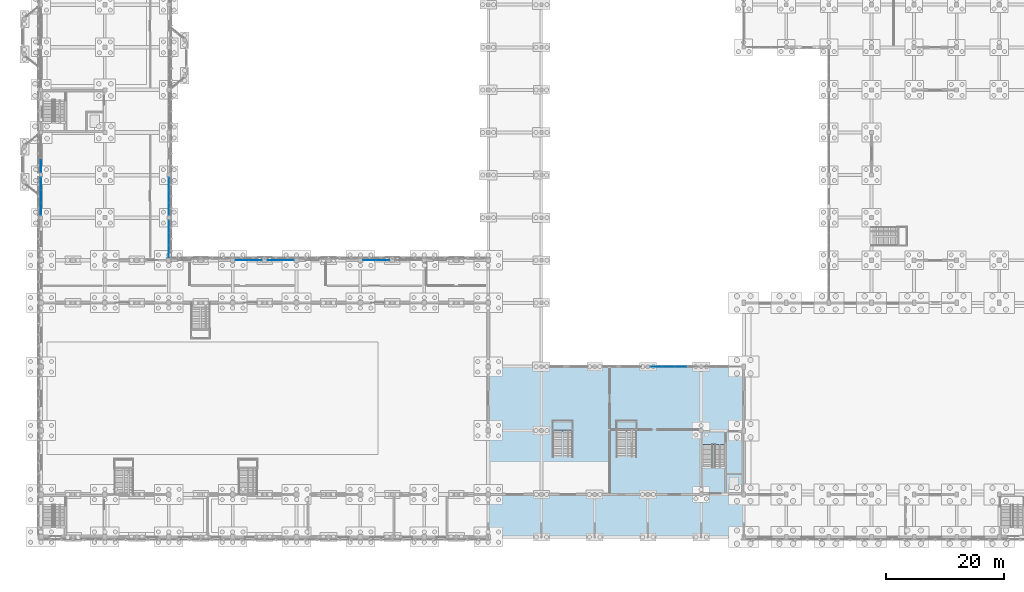
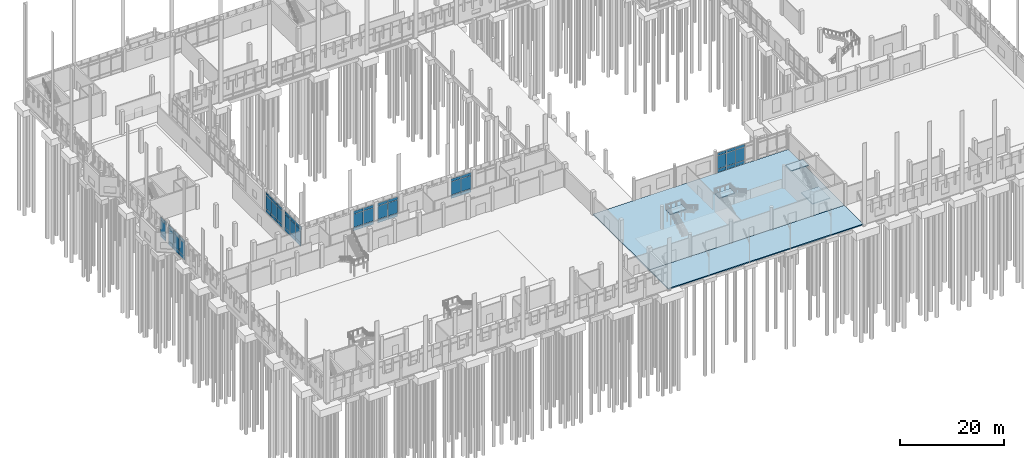
# One storey, part 73 of 109: 57 plates, 6 slabs, 11 elements without a shape of their own.
"""IFC4 building model written with IfcOpenShell, lengths in metres."""

from ifc_helpers import new_model, si_unit, direction, frame, origin, origin_2d, place, context, subcontext, project, spatial, polyline, rectangle, outline, extrude, material, layer, layer_set, type_object, element, aggregate, save


model = new_model("IFC4")

# Units and contexts
model_context = context("Model", 3, precision=1e-05, world=origin(), true_north=direction((0.0, 1.0)))
body_context = subcontext(model_context, "Body", "Model", "MODEL_VIEW")
ifc_project = project(units=[si_unit("LENGTHUNIT", "METRE"), si_unit("AREAUNIT", "SQUARE_METRE"), si_unit("VOLUMEUNIT", "CUBIC_METRE"), si_unit("PLANEANGLEUNIT", "RADIAN"), si_unit("MASSUNIT", "GRAM", prefix="KILO")], contexts=[model_context])

# Site, building, storey
site_placement = place(None, origin())
site = spatial("IfcSite", under=ifc_project, at=site_placement, CompositionType="ELEMENT")
building_placement = place(site_placement, origin())
building = spatial("IfcBuilding", under=site, at=building_placement, Name="Lusvemor Sports Hall", CompositionType="ELEMENT")
storey_placement = place(building_placement, origin())
storey = spatial("IfcBuildingStorey", under=building, at=storey_placement, Name="L00", CompositionType="ELEMENT", Elevation=0.0)

# Curtain wall, plates
ifc_material_1 = material(Name="Thermally broken bronze-anodized aluminium", Category="aluminium")
curtain_wall_type_1 = type_object("IfcCurtainWallType", Name="CW_COURT_C", PredefinedType="NOTDEFINED", material=ifc_material_1)
curtain_wall_1_placement = place(storey_placement, origin())
curtain_wall_1 = element("IfcCurtainWall", 1, at=curtain_wall_1_placement, inside=storey, type_object=curtain_wall_type_1, Name="Curtain Wall CW-V1N-L00-3-A", PredefinedType="NOTDEFINED")
ifc_material_2 = material(Name="Solar-control laminated double glazing", Category="glass")
ifc_layer_1 = layer(ifc_material_2, 0.028076171875)
ifc_layer_set_1 = layer_set([ifc_layer_1], Name="Solar-control laminated double glazing")
plate_type_1 = type_object("IfcPlateType", Name="CW_PAN_GLZ_28", PredefinedType="CURTAIN_PANEL", material=ifc_layer_set_1)
plate_1_placement = place(storey_placement, frame((33.981201171875, 46.800048828125, 0.8798828125), z_axis=(0.0, 0.0, 1.0), x_axis=(1.0, 0.0, 0.0)))
plate_1 = element("IfcPlate", 2, at=plate_1_placement, type_object=plate_type_1, Name="CW03 panel 1.2", PredefinedType="CURTAIN_PANEL", context=body_context, shape_type="SweptSolid", body=[
    extrude(rectangle(XDim=2.172607421875, YDim=0.028076171875, at=origin_2d()), origin(), (0.0, 0.0, 1.0), 3.0400390625),
])
plate_2_placement = place(storey_placement, frame((33.981201171875, 46.800048828125, 3.97998046875), z_axis=(0.0, 0.0, 1.0), x_axis=(1.0, 0.0, 0.0)))
plate_2 = element("IfcPlate", 3, at=plate_2_placement, type_object=plate_type_1, Name="CW03 panel 1.3", PredefinedType="CURTAIN_PANEL", context=body_context, shape_type="SweptSolid", body=[
    extrude(rectangle(XDim=2.172607421875, YDim=0.028076171875, at=origin_2d()), origin(), (0.0, 0.0, 1.0), 0.659912109375),
])
plate_3_placement = place(storey_placement, frame((36.21875, 46.800048828125, 0.8798828125), z_axis=(0.0, 0.0, 1.0), x_axis=(1.0, 0.0, 0.0)))
plate_3 = element("IfcPlate", 4, at=plate_3_placement, type_object=plate_type_1, Name="CW03 panel 2.2", PredefinedType="CURTAIN_PANEL", context=body_context, shape_type="SweptSolid", body=[
    extrude(rectangle(XDim=2.172607421875, YDim=0.028076171875, at=origin_2d()), origin(), (0.0, 0.0, 1.0), 3.0400390625),
])
plate_4_placement = place(storey_placement, frame((36.21875, 46.800048828125, 3.97998046875), z_axis=(0.0, 0.0, 1.0), x_axis=(1.0, 0.0, 0.0)))
plate_4 = element("IfcPlate", 5, at=plate_4_placement, type_object=plate_type_1, Name="CW03 panel 2.3", PredefinedType="CURTAIN_PANEL", context=body_context, shape_type="SweptSolid", body=[
    extrude(rectangle(XDim=2.172607421875, YDim=0.028076171875, at=origin_2d()), origin(), (0.0, 0.0, 1.0), 0.659912109375),
])

curtain_wall_2_placement = place(storey_placement, origin())
curtain_wall_2 = element("IfcCurtainWall", 6, at=curtain_wall_2_placement, inside=storey, type_object=curtain_wall_type_1, Name="Curtain Wall CW-V1N-L00-3-B", PredefinedType="NOTDEFINED")
plate_5_placement = place(storey_placement, frame((39.38134765625, 46.800048828125, 0.8798828125), z_axis=(0.0, 0.0, 1.0), x_axis=(1.0, 0.0, 0.0)))
plate_5 = element("IfcPlate", 7, at=plate_5_placement, type_object=plate_type_1, Name="CW03 panel 1.2", PredefinedType="CURTAIN_PANEL", context=body_context, shape_type="SweptSolid", body=[
    extrude(rectangle(XDim=2.172607421875, YDim=0.028076171875, at=origin_2d()), origin(), (0.0, 0.0, 1.0), 3.0400390625),
])
plate_6_placement = place(storey_placement, frame((39.38134765625, 46.800048828125, 3.97998046875), z_axis=(0.0, 0.0, 1.0), x_axis=(1.0, 0.0, 0.0)))
plate_6 = element("IfcPlate", 8, at=plate_6_placement, type_object=plate_type_1, Name="CW03 panel 1.3", PredefinedType="CURTAIN_PANEL", context=body_context, shape_type="SweptSolid", body=[
    extrude(rectangle(XDim=2.172607421875, YDim=0.028076171875, at=origin_2d()), origin(), (0.0, 0.0, 1.0), 0.659912109375),
])
plate_7_placement = place(storey_placement, frame((41.61865234375, 46.800048828125, 0.8798828125), z_axis=(0.0, 0.0, 1.0), x_axis=(1.0, 0.0, 0.0)))
plate_7 = element("IfcPlate", 9, at=plate_7_placement, type_object=plate_type_1, Name="CW03 panel 2.2", PredefinedType="CURTAIN_PANEL", context=body_context, shape_type="SweptSolid", body=[
    extrude(rectangle(XDim=2.172607421875, YDim=0.028076171875, at=origin_2d()), origin(), (0.0, 0.0, 1.0), 3.0400390625),
])
plate_8_placement = place(storey_placement, frame((41.61865234375, 46.800048828125, 3.97998046875), z_axis=(0.0, 0.0, 1.0), x_axis=(1.0, 0.0, 0.0)))
plate_8 = element("IfcPlate", 10, at=plate_8_placement, type_object=plate_type_1, Name="CW03 panel 2.3", PredefinedType="CURTAIN_PANEL", context=body_context, shape_type="SweptSolid", body=[
    extrude(rectangle(XDim=2.172607421875, YDim=0.028076171875, at=origin_2d()), origin(), (0.0, 0.0, 1.0), 0.659912109375),
])

curtain_wall_3_placement = place(storey_placement, origin())
curtain_wall_3 = element("IfcCurtainWall", 11, at=curtain_wall_3_placement, inside=storey, type_object=curtain_wall_type_1, Name="Curtain Wall CW-V1N-L00-5-A", PredefinedType="NOTDEFINED")
plate_9_placement = place(storey_placement, frame((55.581298828125, 46.800048828125, 0.8798828125), z_axis=(0.0, 0.0, 1.0), x_axis=(1.0, 0.0, 0.0)))
plate_9 = element("IfcPlate", 12, at=plate_9_placement, type_object=plate_type_1, Name="CW03 panel 1.2", PredefinedType="CURTAIN_PANEL", context=body_context, shape_type="SweptSolid", body=[
    extrude(rectangle(XDim=2.172607421875, YDim=0.028076171875, at=origin_2d()), origin(), (0.0, 0.0, 1.0), 3.0400390625),
])
plate_10_placement = place(storey_placement, frame((55.581298828125, 46.800048828125, 3.97998046875), z_axis=(0.0, 0.0, 1.0), x_axis=(1.0, 0.0, 0.0)))
plate_10 = element("IfcPlate", 13, at=plate_10_placement, type_object=plate_type_1, Name="CW03 panel 1.3", PredefinedType="CURTAIN_PANEL", context=body_context, shape_type="SweptSolid", body=[
    extrude(rectangle(XDim=2.172607421875, YDim=0.028076171875, at=origin_2d()), origin(), (0.0, 0.0, 1.0), 0.659912109375),
])
plate_11_placement = place(storey_placement, frame((57.81884765625, 46.800048828125, 0.8798828125), z_axis=(0.0, 0.0, 1.0), x_axis=(1.0, 0.0, 0.0)))
plate_11 = element("IfcPlate", 14, at=plate_11_placement, type_object=plate_type_1, Name="CW03 panel 2.2", PredefinedType="CURTAIN_PANEL", context=body_context, shape_type="SweptSolid", body=[
    extrude(rectangle(XDim=2.172607421875, YDim=0.028076171875, at=origin_2d()), origin(), (0.0, 0.0, 1.0), 3.0400390625),
])
plate_12_placement = place(storey_placement, frame((57.81884765625, 46.800048828125, 3.97998046875), z_axis=(0.0, 0.0, 1.0), x_axis=(1.0, 0.0, 0.0)))
plate_12 = element("IfcPlate", 15, at=plate_12_placement, type_object=plate_type_1, Name="CW03 panel 2.3", PredefinedType="CURTAIN_PANEL", context=body_context, shape_type="SweptSolid", body=[
    extrude(rectangle(XDim=2.172607421875, YDim=0.028076171875, at=origin_2d()), origin(), (0.0, 0.0, 1.0), 0.659912109375),
])

ifc_material_3 = material(Name="Thermally broken bronze-anodized aluminium", Category="aluminium")
curtain_wall_type_2 = type_object("IfcCurtainWallType", Name="CW_FOYER_A", PredefinedType="NOTDEFINED", material=ifc_material_3)
curtain_wall_4_placement = place(storey_placement, origin())
curtain_wall_4 = element("IfcCurtainWall", 16, at=curtain_wall_4_placement, inside=storey, type_object=curtain_wall_type_2, Name="Curtain Wall CW-V4N-L00-3", PredefinedType="NOTDEFINED")
plate_13_placement = place(storey_placement, frame((104.072509765625, 28.800048828125, 0.88232421875), z_axis=(0.0, 0.0, 1.0), x_axis=(1.0, 0.0, 0.0)))
plate_13 = element("IfcPlate", 17, at=plate_13_placement, type_object=plate_type_1, Name="CW01 panel 1.2", PredefinedType="CURTAIN_PANEL", context=body_context, shape_type="SweptSolid", body=[
    extrude(rectangle(XDim=1.925048828125, YDim=0.028076171875, at=origin_2d()), origin(), (0.0, 0.0, 1.0), 3.034912109375),
])
plate_14_placement = place(storey_placement, frame((104.072509765625, 28.800048828125, 3.982421875), z_axis=(0.0, 0.0, 1.0), x_axis=(1.0, 0.0, 0.0)))
plate_14 = element("IfcPlate", 18, at=plate_14_placement, type_object=plate_type_1, Name="CW01 panel 1.3", PredefinedType="CURTAIN_PANEL", context=body_context, shape_type="SweptSolid", body=[
    extrude(rectangle(XDim=1.925048828125, YDim=0.028076171875, at=origin_2d()), origin(), (0.0, 0.0, 1.0), 0.652587890625),
])
plate_15_placement = place(storey_placement, frame((106.0849609375, 28.800048828125, 0.88232421875), z_axis=(0.0, 0.0, 1.0), x_axis=(1.0, 0.0, 0.0)))
plate_15 = element("IfcPlate", 19, at=plate_15_placement, type_object=plate_type_1, Name="CW01 panel 2.2", PredefinedType="CURTAIN_PANEL", context=body_context, shape_type="SweptSolid", body=[
    extrude(rectangle(XDim=1.9599609375, YDim=0.028076171875, at=origin_2d()), origin(), (0.0, 0.0, 1.0), 3.034912109375),
])
plate_16_placement = place(storey_placement, frame((106.0849609375, 28.800048828125, 3.982421875), z_axis=(0.0, 0.0, 1.0), x_axis=(1.0, 0.0, 0.0)))
plate_16 = element("IfcPlate", 20, at=plate_16_placement, type_object=plate_type_1, Name="CW01 panel 2.3", PredefinedType="CURTAIN_PANEL", context=body_context, shape_type="SweptSolid", body=[
    extrude(rectangle(XDim=1.9599609375, YDim=0.028076171875, at=origin_2d()), origin(), (0.0, 0.0, 1.0), 0.652587890625),
])
plate_17_placement = place(storey_placement, frame((108.114990234375, 28.800048828125, 0.88232421875), z_axis=(0.0, 0.0, 1.0), x_axis=(1.0, 0.0, 0.0)))
plate_17 = element("IfcPlate", 21, at=plate_17_placement, type_object=plate_type_1, Name="CW01 panel 3.2", PredefinedType="CURTAIN_PANEL", context=body_context, shape_type="SweptSolid", body=[
    extrude(rectangle(XDim=1.9599609375, YDim=0.028076171875, at=origin_2d()), origin(), (0.0, 0.0, 1.0), 3.034912109375),
])
plate_18_placement = place(storey_placement, frame((108.114990234375, 28.800048828125, 3.982421875), z_axis=(0.0, 0.0, 1.0), x_axis=(1.0, 0.0, 0.0)))
plate_18 = element("IfcPlate", 22, at=plate_18_placement, type_object=plate_type_1, Name="CW01 panel 3.3", PredefinedType="CURTAIN_PANEL", context=body_context, shape_type="SweptSolid", body=[
    extrude(rectangle(XDim=1.9599609375, YDim=0.028076171875, at=origin_2d()), origin(), (0.0, 0.0, 1.0), 0.652587890625),
])

ifc_material_4 = material(Name="Thermally broken bronze-anodized aluminium", Category="aluminium")
curtain_wall_type_3 = type_object("IfcCurtainWallType", Name="CW_WING_B", PredefinedType="NOTDEFINED", material=ifc_material_4)
curtain_wall_5_placement = place(storey_placement, origin())
curtain_wall_5 = element("IfcCurtainWall", 23, at=curtain_wall_5_placement, inside=storey, type_object=curtain_wall_type_3, Name="Curtain Wall CW-L00-W-0-1", PredefinedType="NOTDEFINED")
plate_19_placement = place(storey_placement, frame((0.0, 55.496337890625, 0.8798828125), z_axis=(0.0, 0.0, 1.0), x_axis=(0.0, 1.0, 0.0)))
plate_19 = element("IfcPlate", 24, at=plate_19_placement, type_object=plate_type_1, Name="CW02 panel 1.2", PredefinedType="CURTAIN_PANEL", context=body_context, shape_type="SweptSolid", body=[
    extrude(rectangle(XDim=2.0224609375, YDim=0.028076171875, at=origin_2d()), origin(), (0.0, 0.0, 1.0), 3.06005859375),
])
plate_20_placement = place(storey_placement, frame((0.0, 55.496337890625, 4.0), z_axis=(0.0, 0.0, 1.0), x_axis=(0.0, 1.0, 0.0)))
plate_20 = element("IfcPlate", 25, at=plate_20_placement, type_object=plate_type_1, Name="CW02 panel 1.3", PredefinedType="CURTAIN_PANEL", context=body_context, shape_type="SweptSolid", body=[
    extrude(rectangle(XDim=2.0224609375, YDim=0.028076171875, at=origin_2d()), origin(), (0.0, 0.0, 1.0), 0.659912109375),
])
plate_21_placement = place(storey_placement, frame((0.0, 57.60009765625, 0.8798828125), z_axis=(0.0, 0.0, 1.0), x_axis=(0.0, 1.0, 0.0)))
plate_21 = element("IfcPlate", 26, at=plate_21_placement, type_object=plate_type_1, Name="CW02 panel 2.2", PredefinedType="CURTAIN_PANEL", context=body_context, shape_type="SweptSolid", body=[
    extrude(rectangle(XDim=2.054931640625, YDim=0.028076171875, at=origin_2d()), origin(), (0.0, 0.0, 1.0), 3.06005859375),
])
plate_22_placement = place(storey_placement, frame((0.0, 57.60009765625, 4.0), z_axis=(0.0, 0.0, 1.0), x_axis=(0.0, 1.0, 0.0)))
plate_22 = element("IfcPlate", 27, at=plate_22_placement, type_object=plate_type_1, Name="CW02 panel 2.3", PredefinedType="CURTAIN_PANEL", context=body_context, shape_type="SweptSolid", body=[
    extrude(rectangle(XDim=2.054931640625, YDim=0.028076171875, at=origin_2d()), origin(), (0.0, 0.0, 1.0), 0.659912109375),
])
plate_23_placement = place(storey_placement, frame((0.0, 59.703857421875, 0.8798828125), z_axis=(0.0, 0.0, 1.0), x_axis=(0.0, 1.0, 0.0)))
plate_23 = element("IfcPlate", 28, at=plate_23_placement, type_object=plate_type_1, Name="CW02 panel 3.2", PredefinedType="CURTAIN_PANEL", context=body_context, shape_type="SweptSolid", body=[
    extrude(rectangle(XDim=2.0224609375, YDim=0.028076171875, at=origin_2d()), origin(), (0.0, 0.0, 1.0), 3.06005859375),
])
plate_24_placement = place(storey_placement, frame((0.0, 59.703857421875, 4.0), z_axis=(0.0, 0.0, 1.0), x_axis=(0.0, 1.0, 0.0)))
plate_24 = element("IfcPlate", 29, at=plate_24_placement, type_object=plate_type_1, Name="CW02 panel 3.3", PredefinedType="CURTAIN_PANEL", context=body_context, shape_type="SweptSolid", body=[
    extrude(rectangle(XDim=2.0224609375, YDim=0.028076171875, at=origin_2d()), origin(), (0.0, 0.0, 1.0), 0.659912109375),
])

curtain_wall_6_placement = place(storey_placement, origin())
curtain_wall_6 = element("IfcCurtainWall", 30, at=curtain_wall_6_placement, inside=storey, type_object=curtain_wall_type_3, Name="Curtain Wall CW-L00-W-0-2", PredefinedType="NOTDEFINED")
plate_25_placement = place(storey_placement, frame((0.0, 62.6962890625, 0.8798828125), z_axis=(0.0, 0.0, 1.0), x_axis=(0.0, 1.0, 0.0)))
plate_25 = element("IfcPlate", 31, at=plate_25_placement, type_object=plate_type_1, Name="CW02 panel 1.2", PredefinedType="CURTAIN_PANEL", context=body_context, shape_type="SweptSolid", body=[
    extrude(rectangle(XDim=2.0224609375, YDim=0.028076171875, at=origin_2d()), origin(), (0.0, 0.0, 1.0), 3.06005859375),
])
plate_26_placement = place(storey_placement, frame((0.0, 62.6962890625, 4.0), z_axis=(0.0, 0.0, 1.0), x_axis=(0.0, 1.0, 0.0)))
plate_26 = element("IfcPlate", 32, at=plate_26_placement, type_object=plate_type_1, Name="CW02 panel 1.3", PredefinedType="CURTAIN_PANEL", context=body_context, shape_type="SweptSolid", body=[
    extrude(rectangle(XDim=2.0224609375, YDim=0.028076171875, at=origin_2d()), origin(), (0.0, 0.0, 1.0), 0.659912109375),
])

curtain_wall_7_placement = place(storey_placement, origin())
curtain_wall_7 = element("IfcCurtainWall", 33, at=curtain_wall_7_placement, inside=storey, type_object=curtain_wall_type_3, Name="Curtain Wall CW-L00-E-4-0", PredefinedType="NOTDEFINED")
plate_27_placement = place(storey_placement, frame((21.60009765625, 52.503662109375, 0.8798828125), z_axis=(0.0, 0.0, 1.0), x_axis=(0.0, -1.0, 0.0)))
plate_27 = element("IfcPlate", 34, at=plate_27_placement, type_object=plate_type_1, Name="CW02 panel 1.2", PredefinedType="CURTAIN_PANEL", context=body_context, shape_type="SweptSolid", body=[
    extrude(rectangle(XDim=2.0224609375, YDim=0.028076171875, at=origin_2d()), origin(), (0.0, 0.0, 1.0), 3.06005859375),
])
plate_28_placement = place(storey_placement, frame((21.60009765625, 52.503662109375, 4.0), z_axis=(0.0, 0.0, 1.0), x_axis=(0.0, -1.0, 0.0)))
plate_28 = element("IfcPlate", 35, at=plate_28_placement, type_object=plate_type_1, Name="CW02 panel 1.3", PredefinedType="CURTAIN_PANEL", context=body_context, shape_type="SweptSolid", body=[
    extrude(rectangle(XDim=2.0224609375, YDim=0.028076171875, at=origin_2d()), origin(), (0.0, 0.0, 1.0), 0.659912109375),
])
plate_29_placement = place(storey_placement, frame((21.60009765625, 50.39990234375, 0.8798828125), z_axis=(0.0, 0.0, 1.0), x_axis=(0.0, -1.0, 0.0)))
plate_29 = element("IfcPlate", 36, at=plate_29_placement, type_object=plate_type_1, Name="CW02 panel 2.2", PredefinedType="CURTAIN_PANEL", context=body_context, shape_type="SweptSolid", body=[
    extrude(rectangle(XDim=2.054931640625, YDim=0.028076171875, at=origin_2d()), origin(), (0.0, 0.0, 1.0), 3.06005859375),
])
plate_30_placement = place(storey_placement, frame((21.60009765625, 50.39990234375, 4.0), z_axis=(0.0, 0.0, 1.0), x_axis=(0.0, -1.0, 0.0)))
plate_30 = element("IfcPlate", 37, at=plate_30_placement, type_object=plate_type_1, Name="CW02 panel 2.3", PredefinedType="CURTAIN_PANEL", context=body_context, shape_type="SweptSolid", body=[
    extrude(rectangle(XDim=2.054931640625, YDim=0.028076171875, at=origin_2d()), origin(), (0.0, 0.0, 1.0), 0.659912109375),
])
plate_31_placement = place(storey_placement, frame((21.60009765625, 48.296142578125, 0.8798828125), z_axis=(0.0, 0.0, 1.0), x_axis=(0.0, -1.0, 0.0)))
plate_31 = element("IfcPlate", 38, at=plate_31_placement, type_object=plate_type_1, Name="CW02 panel 3.2", PredefinedType="CURTAIN_PANEL", context=body_context, shape_type="SweptSolid", body=[
    extrude(rectangle(XDim=2.0224609375, YDim=0.028076171875, at=origin_2d()), origin(), (0.0, 0.0, 1.0), 3.06005859375),
])
plate_32_placement = place(storey_placement, frame((21.60009765625, 48.296142578125, 4.0), z_axis=(0.0, 0.0, 1.0), x_axis=(0.0, -1.0, 0.0)))
plate_32 = element("IfcPlate", 39, at=plate_32_placement, type_object=plate_type_1, Name="CW02 panel 3.3", PredefinedType="CURTAIN_PANEL", context=body_context, shape_type="SweptSolid", body=[
    extrude(rectangle(XDim=2.0224609375, YDim=0.028076171875, at=origin_2d()), origin(), (0.0, 0.0, 1.0), 0.659912109375),
])

curtain_wall_8_placement = place(storey_placement, origin())
curtain_wall_8 = element("IfcCurtainWall", 40, at=curtain_wall_8_placement, inside=storey, type_object=curtain_wall_type_3, Name="Curtain Wall CW-L00-E-4-1", PredefinedType="NOTDEFINED")
plate_33_placement = place(storey_placement, frame((21.60009765625, 59.703857421875, 0.8798828125), z_axis=(0.0, 0.0, 1.0), x_axis=(0.0, -1.0, 0.0)))
plate_33 = element("IfcPlate", 41, at=plate_33_placement, type_object=plate_type_1, Name="CW02 panel 1.2", PredefinedType="CURTAIN_PANEL", context=body_context, shape_type="SweptSolid", body=[
    extrude(rectangle(XDim=2.0224609375, YDim=0.028076171875, at=origin_2d()), origin(), (0.0, 0.0, 1.0), 3.06005859375),
])
plate_34_placement = place(storey_placement, frame((21.60009765625, 59.703857421875, 4.0), z_axis=(0.0, 0.0, 1.0), x_axis=(0.0, -1.0, 0.0)))
plate_34 = element("IfcPlate", 42, at=plate_34_placement, type_object=plate_type_1, Name="CW02 panel 1.3", PredefinedType="CURTAIN_PANEL", context=body_context, shape_type="SweptSolid", body=[
    extrude(rectangle(XDim=2.0224609375, YDim=0.028076171875, at=origin_2d()), origin(), (0.0, 0.0, 1.0), 0.659912109375),
])
plate_35_placement = place(storey_placement, frame((21.60009765625, 57.60009765625, 0.8798828125), z_axis=(0.0, 0.0, 1.0), x_axis=(0.0, -1.0, 0.0)))
plate_35 = element("IfcPlate", 43, at=plate_35_placement, type_object=plate_type_1, Name="CW02 panel 2.2", PredefinedType="CURTAIN_PANEL", context=body_context, shape_type="SweptSolid", body=[
    extrude(rectangle(XDim=2.054931640625, YDim=0.028076171875, at=origin_2d()), origin(), (0.0, 0.0, 1.0), 3.06005859375),
])
plate_36_placement = place(storey_placement, frame((21.60009765625, 57.60009765625, 4.0), z_axis=(0.0, 0.0, 1.0), x_axis=(0.0, -1.0, 0.0)))
plate_36 = element("IfcPlate", 44, at=plate_36_placement, type_object=plate_type_1, Name="CW02 panel 2.3", PredefinedType="CURTAIN_PANEL", context=body_context, shape_type="SweptSolid", body=[
    extrude(rectangle(XDim=2.054931640625, YDim=0.028076171875, at=origin_2d()), origin(), (0.0, 0.0, 1.0), 0.659912109375),
])
plate_37_placement = place(storey_placement, frame((21.60009765625, 55.496337890625, 0.8798828125), z_axis=(0.0, 0.0, 1.0), x_axis=(0.0, -1.0, 0.0)))
plate_37 = element("IfcPlate", 45, at=plate_37_placement, type_object=plate_type_1, Name="CW02 panel 3.2", PredefinedType="CURTAIN_PANEL", context=body_context, shape_type="SweptSolid", body=[
    extrude(rectangle(XDim=2.0224609375, YDim=0.028076171875, at=origin_2d()), origin(), (0.0, 0.0, 1.0), 3.06005859375),
])
plate_38_placement = place(storey_placement, frame((21.60009765625, 55.496337890625, 4.0), z_axis=(0.0, 0.0, 1.0), x_axis=(0.0, -1.0, 0.0)))
plate_38 = element("IfcPlate", 46, at=plate_38_placement, type_object=plate_type_1, Name="CW02 panel 3.3", PredefinedType="CURTAIN_PANEL", context=body_context, shape_type="SweptSolid", body=[
    extrude(rectangle(XDim=2.0224609375, YDim=0.028076171875, at=origin_2d()), origin(), (0.0, 0.0, 1.0), 0.659912109375),
])

# Plate
ifc_material_5 = material(Name="Emerald polychrome glazed ceramic cladding on Concrete C40/50 backing", Category="concrete")
ifc_layer_2 = layer(ifc_material_5, 0.048095703125)
ifc_layer_set_2 = layer_set([ifc_layer_2], Name="Emerald polychrome glazed ceramic cladding on Concrete C40/50 backing")
plate_type_2 = type_object("IfcPlateType", Name="CW_PAN_SPN_48", PredefinedType="CURTAIN_PANEL", material=ifc_layer_set_2)
plate_39_placement = place(storey_placement, frame((33.981201171875, 46.800048828125, 0.06005859375), z_axis=(0.0, 0.0, 1.0), x_axis=(1.0, 0.0, 0.0)))
plate_39 = element("IfcPlate", 47, at=plate_39_placement, type_object=plate_type_2, Name="CW03 panel 1.1", PredefinedType="CURTAIN_PANEL", context=body_context, shape_type="SweptSolid", body=[
    extrude(rectangle(XDim=2.172607421875, YDim=0.048095703125, at=origin_2d()), origin(), (0.0, 0.0, 1.0), 0.760009765625),
])

plate_40_placement = place(storey_placement, frame((36.21875, 46.800048828125, 0.06005859375), z_axis=(0.0, 0.0, 1.0), x_axis=(1.0, 0.0, 0.0)))
plate_40 = element("IfcPlate", 48, at=plate_40_placement, type_object=plate_type_2, Name="CW03 panel 2.1", PredefinedType="CURTAIN_PANEL", context=body_context, shape_type="SweptSolid", body=[
    extrude(rectangle(XDim=2.172607421875, YDim=0.048095703125, at=origin_2d()), origin(), (0.0, 0.0, 1.0), 0.760009765625),
])

aggregate(curtain_wall_1, [plate_39, plate_1, plate_2, plate_40, plate_3, plate_4])

plate_41_placement = place(storey_placement, frame((39.38134765625, 46.800048828125, 0.06005859375), z_axis=(0.0, 0.0, 1.0), x_axis=(1.0, 0.0, 0.0)))
plate_41 = element("IfcPlate", 49, at=plate_41_placement, type_object=plate_type_2, Name="CW03 panel 1.1", PredefinedType="CURTAIN_PANEL", context=body_context, shape_type="SweptSolid", body=[
    extrude(rectangle(XDim=2.172607421875, YDim=0.048095703125, at=origin_2d()), origin(), (0.0, 0.0, 1.0), 0.760009765625),
])

plate_42_placement = place(storey_placement, frame((41.61865234375, 46.800048828125, 0.06005859375), z_axis=(0.0, 0.0, 1.0), x_axis=(1.0, 0.0, 0.0)))
plate_42 = element("IfcPlate", 50, at=plate_42_placement, type_object=plate_type_2, Name="CW03 panel 2.1", PredefinedType="CURTAIN_PANEL", context=body_context, shape_type="SweptSolid", body=[
    extrude(rectangle(XDim=2.172607421875, YDim=0.048095703125, at=origin_2d()), origin(), (0.0, 0.0, 1.0), 0.760009765625),
])

aggregate(curtain_wall_2, [plate_41, plate_5, plate_6, plate_42, plate_7, plate_8])

plate_43_placement = place(storey_placement, frame((55.581298828125, 46.800048828125, 0.06005859375), z_axis=(0.0, 0.0, 1.0), x_axis=(1.0, 0.0, 0.0)))
plate_43 = element("IfcPlate", 51, at=plate_43_placement, type_object=plate_type_2, Name="CW03 panel 1.1", PredefinedType="CURTAIN_PANEL", context=body_context, shape_type="SweptSolid", body=[
    extrude(rectangle(XDim=2.172607421875, YDim=0.048095703125, at=origin_2d()), origin(), (0.0, 0.0, 1.0), 0.760009765625),
])

plate_44_placement = place(storey_placement, frame((57.81884765625, 46.800048828125, 0.06005859375), z_axis=(0.0, 0.0, 1.0), x_axis=(1.0, 0.0, 0.0)))
plate_44 = element("IfcPlate", 52, at=plate_44_placement, type_object=plate_type_2, Name="CW03 panel 2.1", PredefinedType="CURTAIN_PANEL", context=body_context, shape_type="SweptSolid", body=[
    extrude(rectangle(XDim=2.172607421875, YDim=0.048095703125, at=origin_2d()), origin(), (0.0, 0.0, 1.0), 0.760009765625),
])

aggregate(curtain_wall_3, [plate_43, plate_9, plate_10, plate_44, plate_11, plate_12])

plate_45_placement = place(storey_placement, frame((104.072509765625, 28.800048828125, 0.06494140625), z_axis=(0.0, 0.0, 1.0), x_axis=(1.0, 0.0, 0.0)))
plate_45 = element("IfcPlate", 53, at=plate_45_placement, type_object=plate_type_2, Name="CW01 panel 1.1", PredefinedType="CURTAIN_PANEL", context=body_context, shape_type="SweptSolid", body=[
    extrude(rectangle(XDim=1.925048828125, YDim=0.048095703125, at=origin_2d()), origin(), (0.0, 0.0, 1.0), 0.75244140625),
])

plate_46_placement = place(storey_placement, frame((106.0849609375, 28.800048828125, 0.06494140625), z_axis=(0.0, 0.0, 1.0), x_axis=(1.0, 0.0, 0.0)))
plate_46 = element("IfcPlate", 54, at=plate_46_placement, type_object=plate_type_2, Name="CW01 panel 2.1", PredefinedType="CURTAIN_PANEL", context=body_context, shape_type="SweptSolid", body=[
    extrude(rectangle(XDim=1.9599609375, YDim=0.048095703125, at=origin_2d()), origin(), (0.0, 0.0, 1.0), 0.75244140625),
])

plate_47_placement = place(storey_placement, frame((108.114990234375, 28.800048828125, 0.06494140625), z_axis=(0.0, 0.0, 1.0), x_axis=(1.0, 0.0, 0.0)))
plate_47 = element("IfcPlate", 55, at=plate_47_placement, type_object=plate_type_2, Name="CW01 panel 3.1", PredefinedType="CURTAIN_PANEL", context=body_context, shape_type="SweptSolid", body=[
    extrude(rectangle(XDim=1.9599609375, YDim=0.048095703125, at=origin_2d()), origin(), (0.0, 0.0, 1.0), 0.75244140625),
])

aggregate(curtain_wall_4, [plate_45, plate_13, plate_14, plate_46, plate_15, plate_16, plate_47, plate_17, plate_18])

plate_48_placement = place(storey_placement, frame((0.0, 55.496337890625, 0.06005859375), z_axis=(0.0, 0.0, 1.0), x_axis=(0.0, 1.0, 0.0)))
plate_48 = element("IfcPlate", 56, at=plate_48_placement, type_object=plate_type_2, Name="CW02 panel 1.1", PredefinedType="CURTAIN_PANEL", context=body_context, shape_type="SweptSolid", body=[
    extrude(rectangle(XDim=2.0224609375, YDim=0.048095703125, at=origin_2d()), origin(), (0.0, 0.0, 1.0), 0.760009765625),
])

plate_49_placement = place(storey_placement, frame((0.0, 57.60009765625, 0.06005859375), z_axis=(0.0, 0.0, 1.0), x_axis=(0.0, 1.0, 0.0)))
plate_49 = element("IfcPlate", 57, at=plate_49_placement, type_object=plate_type_2, Name="CW02 panel 2.1", PredefinedType="CURTAIN_PANEL", context=body_context, shape_type="SweptSolid", body=[
    extrude(rectangle(XDim=2.054931640625, YDim=0.048095703125, at=origin_2d()), origin(), (0.0, 0.0, 1.0), 0.760009765625),
])

plate_50_placement = place(storey_placement, frame((0.0, 59.703857421875, 0.06005859375), z_axis=(0.0, 0.0, 1.0), x_axis=(0.0, 1.0, 0.0)))
plate_50 = element("IfcPlate", 58, at=plate_50_placement, type_object=plate_type_2, Name="CW02 panel 3.1", PredefinedType="CURTAIN_PANEL", context=body_context, shape_type="SweptSolid", body=[
    extrude(rectangle(XDim=2.0224609375, YDim=0.048095703125, at=origin_2d()), origin(), (0.0, 0.0, 1.0), 0.760009765625),
])

aggregate(curtain_wall_5, [plate_48, plate_19, plate_20, plate_49, plate_21, plate_22, plate_50, plate_23, plate_24])

plate_51_placement = place(storey_placement, frame((0.0, 62.6962890625, 0.06005859375), z_axis=(0.0, 0.0, 1.0), x_axis=(0.0, 1.0, 0.0)))
plate_51 = element("IfcPlate", 59, at=plate_51_placement, type_object=plate_type_2, Name="CW02 panel 1.1", PredefinedType="CURTAIN_PANEL", context=body_context, shape_type="SweptSolid", body=[
    extrude(rectangle(XDim=2.0224609375, YDim=0.048095703125, at=origin_2d()), origin(), (0.0, 0.0, 1.0), 0.760009765625),
])

aggregate(curtain_wall_6, [plate_51, plate_25, plate_26])

plate_52_placement = place(storey_placement, frame((21.60009765625, 52.503662109375, 0.06005859375), z_axis=(0.0, 0.0, 1.0), x_axis=(0.0, -1.0, 0.0)))
plate_52 = element("IfcPlate", 60, at=plate_52_placement, type_object=plate_type_2, Name="CW02 panel 1.1", PredefinedType="CURTAIN_PANEL", context=body_context, shape_type="SweptSolid", body=[
    extrude(rectangle(XDim=2.0224609375, YDim=0.048095703125, at=origin_2d()), origin(), (0.0, 0.0, 1.0), 0.760009765625),
])

plate_53_placement = place(storey_placement, frame((21.60009765625, 50.39990234375, 0.06005859375), z_axis=(0.0, 0.0, 1.0), x_axis=(0.0, -1.0, 0.0)))
plate_53 = element("IfcPlate", 61, at=plate_53_placement, type_object=plate_type_2, Name="CW02 panel 2.1", PredefinedType="CURTAIN_PANEL", context=body_context, shape_type="SweptSolid", body=[
    extrude(rectangle(XDim=2.054931640625, YDim=0.048095703125, at=origin_2d()), origin(), (0.0, 0.0, 1.0), 0.760009765625),
])

plate_54_placement = place(storey_placement, frame((21.60009765625, 48.296142578125, 0.06005859375), z_axis=(0.0, 0.0, 1.0), x_axis=(0.0, -1.0, 0.0)))
plate_54 = element("IfcPlate", 62, at=plate_54_placement, type_object=plate_type_2, Name="CW02 panel 3.1", PredefinedType="CURTAIN_PANEL", context=body_context, shape_type="SweptSolid", body=[
    extrude(rectangle(XDim=2.0224609375, YDim=0.048095703125, at=origin_2d()), origin(), (0.0, 0.0, 1.0), 0.760009765625),
])

aggregate(curtain_wall_7, [plate_52, plate_27, plate_28, plate_53, plate_29, plate_30, plate_54, plate_31, plate_32])

plate_55_placement = place(storey_placement, frame((21.60009765625, 59.703857421875, 0.06005859375), z_axis=(0.0, 0.0, 1.0), x_axis=(0.0, -1.0, 0.0)))
plate_55 = element("IfcPlate", 63, at=plate_55_placement, type_object=plate_type_2, Name="CW02 panel 1.1", PredefinedType="CURTAIN_PANEL", context=body_context, shape_type="SweptSolid", body=[
    extrude(rectangle(XDim=2.0224609375, YDim=0.048095703125, at=origin_2d()), origin(), (0.0, 0.0, 1.0), 0.760009765625),
])

plate_56_placement = place(storey_placement, frame((21.60009765625, 57.60009765625, 0.06005859375), z_axis=(0.0, 0.0, 1.0), x_axis=(0.0, -1.0, 0.0)))
plate_56 = element("IfcPlate", 64, at=plate_56_placement, type_object=plate_type_2, Name="CW02 panel 2.1", PredefinedType="CURTAIN_PANEL", context=body_context, shape_type="SweptSolid", body=[
    extrude(rectangle(XDim=2.054931640625, YDim=0.048095703125, at=origin_2d()), origin(), (0.0, 0.0, 1.0), 0.760009765625),
])

plate_57_placement = place(storey_placement, frame((21.60009765625, 55.496337890625, 0.06005859375), z_axis=(0.0, 0.0, 1.0), x_axis=(0.0, -1.0, 0.0)))
plate_57 = element("IfcPlate", 65, at=plate_57_placement, type_object=plate_type_2, Name="CW02 panel 3.1", PredefinedType="CURTAIN_PANEL", context=body_context, shape_type="SweptSolid", body=[
    extrude(rectangle(XDim=2.0224609375, YDim=0.048095703125, at=origin_2d()), origin(), (0.0, 0.0, 1.0), 0.760009765625),
])

aggregate(curtain_wall_8, [plate_55, plate_33, plate_34, plate_56, plate_35, plate_36, plate_57, plate_37, plate_38])

# Slabs
ifc_material_6 = material(Name="Concrete C40/50", Category="concrete")
ifc_layer_3 = layer(ifc_material_6, 0.300048828125)
ifc_layer_set_3 = layer_set([ifc_layer_3], Name="Concrete C40/50")
slab_type_1 = type_object("IfcSlabType", Name="SLAB_BASE_300", PredefinedType="BASESLAB", material=ifc_layer_set_3)
slab_1_placement = place(storey_placement, frame((0.0, 0.0, -0.300048828125)))
element("IfcSlab", 66, at=slab_1_placement, inside=storey, type_object=slab_type_1, Name="Slab L00 V4-FOYER", PredefinedType="BASESLAB", context=body_context, shape_type="SweptSolid", body=[
    extrude(outline(polyline([(75.60009765625, 7.199951171875), (118.800048828125, 7.199951171875), (118.800048828125, 28.800048828125), (75.60009765625, 28.800048828125), (75.60009765625, 7.199951171875)])), origin(), (0.0, 0.0, 1.0), 0.300048828125),
])
ifc_material_7 = material(Name="Concrete C40/50", Category="concrete")
ifc_layer_4 = layer(ifc_material_7, 0.25)
ifc_layer_set_4 = layer_set([ifc_layer_4], Name="Concrete C40/50")
slab_type_2 = type_object("IfcSlabType", Name="SLAB_BASE_EXT_250", PredefinedType="BASESLAB", material=ifc_layer_set_4)
slab_2_placement = place(storey_placement, frame((0.0, 0.0, -0.25)))
element("IfcSlab", 67, at=slab_2_placement, inside=storey, type_object=slab_type_2, Name="Slab L00 V6-CANOPY", PredefinedType="BASESLAB", context=body_context, shape_type="SweptSolid", body=[
    extrude(outline(polyline([(75.60009765625, 0.0), (118.800048828125, 0.0), (118.800048828125, 7.199951171875), (75.60009765625, 7.199951171875), (75.60009765625, 0.0)])), origin(), (0.0, 0.0, 1.0), 0.25),
])

# Stair, slabs
ifc_material_8 = material(Name="Concrete C40/50", Category="concrete")
stair_type_1 = type_object("IfcStairType", Name="STAIR_CORE_540", PredefinedType="HALF_TURN_STAIR", material=ifc_material_8)
stair_1_placement = place(storey_placement, origin())
stair_1 = element("IfcStair", 68, at=stair_1_placement, inside=storey, type_object=stair_type_1, Name="Escape Stair C7 (L00)", PredefinedType="HALF_TURN_STAIR")
ifc_material_9 = material(Name="Concrete C40/50", Category="concrete")
ifc_layer_5 = layer(ifc_material_9, 0.199951171875)
ifc_layer_set_5 = layer_set([ifc_layer_5], Name="Concrete C40/50")
slab_type_3 = type_object("IfcSlabType", Name="SLAB_LAND_200", PredefinedType="LANDING", material=ifc_layer_set_5)
slab_3_placement = place(storey_placement, frame((0.0, 0.0, 2.5)))
slab_3 = element("IfcSlab", 69, at=slab_3_placement, type_object=slab_type_3, Name="ST01 landing 1", PredefinedType="LANDING", context=body_context, shape_type="SweptSolid", body=[
    extrude(outline(polyline([(111.780029296875, 7.3798828125), (115.719970703125, 7.3798828125), (115.719970703125, 11.77001953125), (111.780029296875, 11.77001953125), (111.780029296875, 7.3798828125)])), origin(), (0.0, 0.0, 1.0), 0.199951171875),
])
slab_4_placement = place(storey_placement, frame((0.0, 0.0, 5.199951171875)))
slab_4 = element("IfcSlab", 70, at=slab_4_placement, type_object=slab_type_3, Name="ST01 landing 2", PredefinedType="LANDING", context=body_context, shape_type="SweptSolid", body=[
    extrude(outline(polyline([(111.780029296875, 15.610107421875), (115.719970703125, 15.610107421875), (115.719970703125, 17.820068359375), (111.780029296875, 17.820068359375), (111.780029296875, 15.610107421875)])), origin(), (0.0, 0.0, 1.0), 0.199951171875),
])
aggregate(stair_1, [slab_3, slab_4])

# Stair, slab
ifc_material_10 = material(Name="Precast concrete C40/50", Category="concrete")
stair_type_2 = type_object("IfcStairType", Name="STAIR_FOYER_540", PredefinedType="HALF_TURN_STAIR", material=ifc_material_10)
stair_2_placement = place(storey_placement, origin())
stair_2 = element("IfcStair", 71, at=stair_2_placement, inside=storey, type_object=stair_type_2, Name="Feature Stair STR-FOY-W", PredefinedType="HALF_TURN_STAIR")
ifc_material_11 = material(Name="Precast concrete C40/50", Category="concrete")
ifc_layer_6 = layer(ifc_material_11, 0.218017578125)
ifc_layer_set_6 = layer_set([ifc_layer_6], Name="Precast concrete C40/50")
slab_type_4 = type_object("IfcSlabType", Name="SLAB_LAND_218", PredefinedType="LANDING", material=ifc_layer_set_6)
slab_5_placement = place(storey_placement, frame((0.0, 0.0, 2.48193359375)))
slab_5 = element("IfcSlab", 72, at=slab_5_placement, type_object=slab_type_4, Name="ST03 landing 1", PredefinedType="LANDING", context=body_context, shape_type="SweptSolid", body=[
    extrude(outline(polyline([(86.43994140625, 17.9599609375), (89.9599609375, 17.9599609375), (89.9599609375, 19.739990234375), (86.43994140625, 19.739990234375), (86.43994140625, 17.9599609375)])), origin(), (0.0, 0.0, 1.0), 0.218017578125),
])
aggregate(stair_2, [slab_5])

stair_3_placement = place(storey_placement, origin())
stair_3 = element("IfcStair", 73, at=stair_3_placement, inside=storey, type_object=stair_type_2, Name="Feature Stair STR-FOY-E", PredefinedType="HALF_TURN_STAIR")
slab_6_placement = place(storey_placement, frame((0.0, 0.0, 2.48193359375)))
slab_6 = element("IfcSlab", 74, at=slab_6_placement, type_object=slab_type_4, Name="ST03 landing 1", PredefinedType="LANDING", context=body_context, shape_type="SweptSolid", body=[
    extrude(outline(polyline([(97.239990234375, 17.9599609375), (100.760009765625, 17.9599609375), (100.760009765625, 19.739990234375), (97.239990234375, 19.739990234375), (97.239990234375, 17.9599609375)])), origin(), (0.0, 0.0, 1.0), 0.218017578125),
])
aggregate(stair_3, [slab_6])

save(model, "model.ifc")
